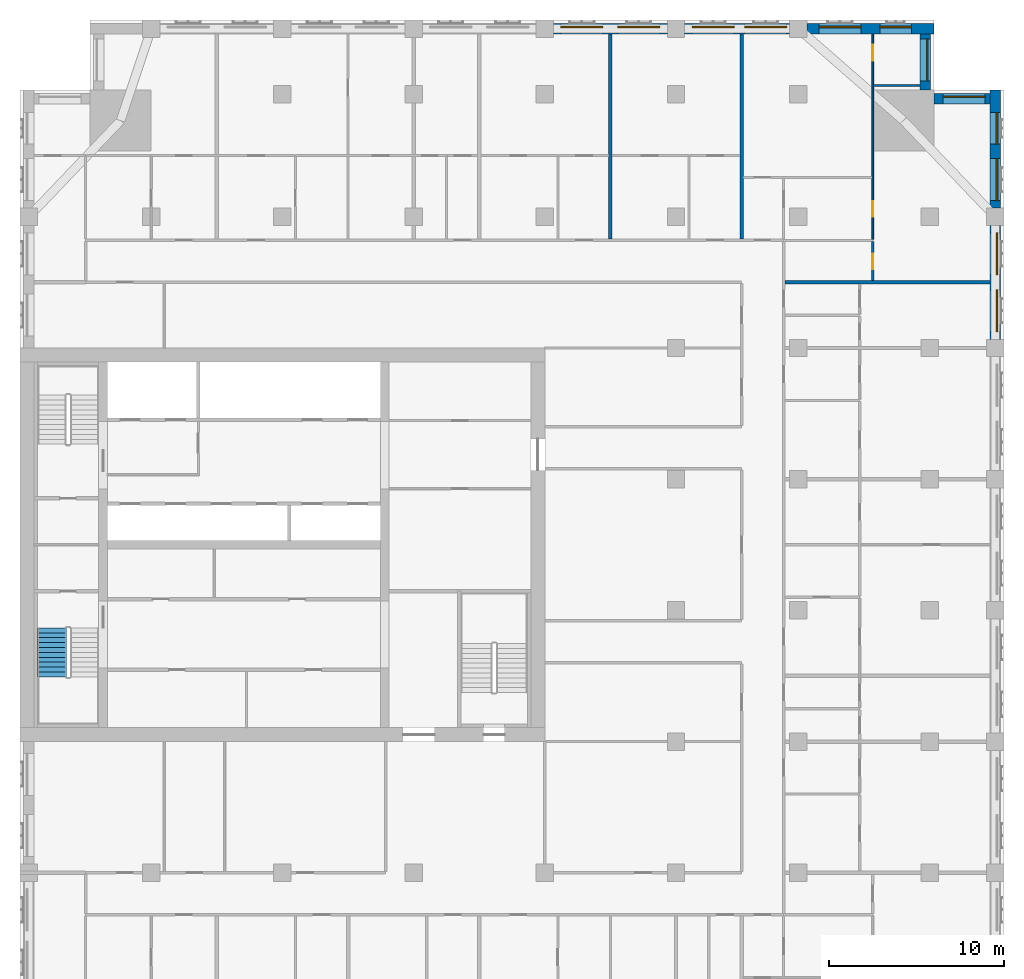
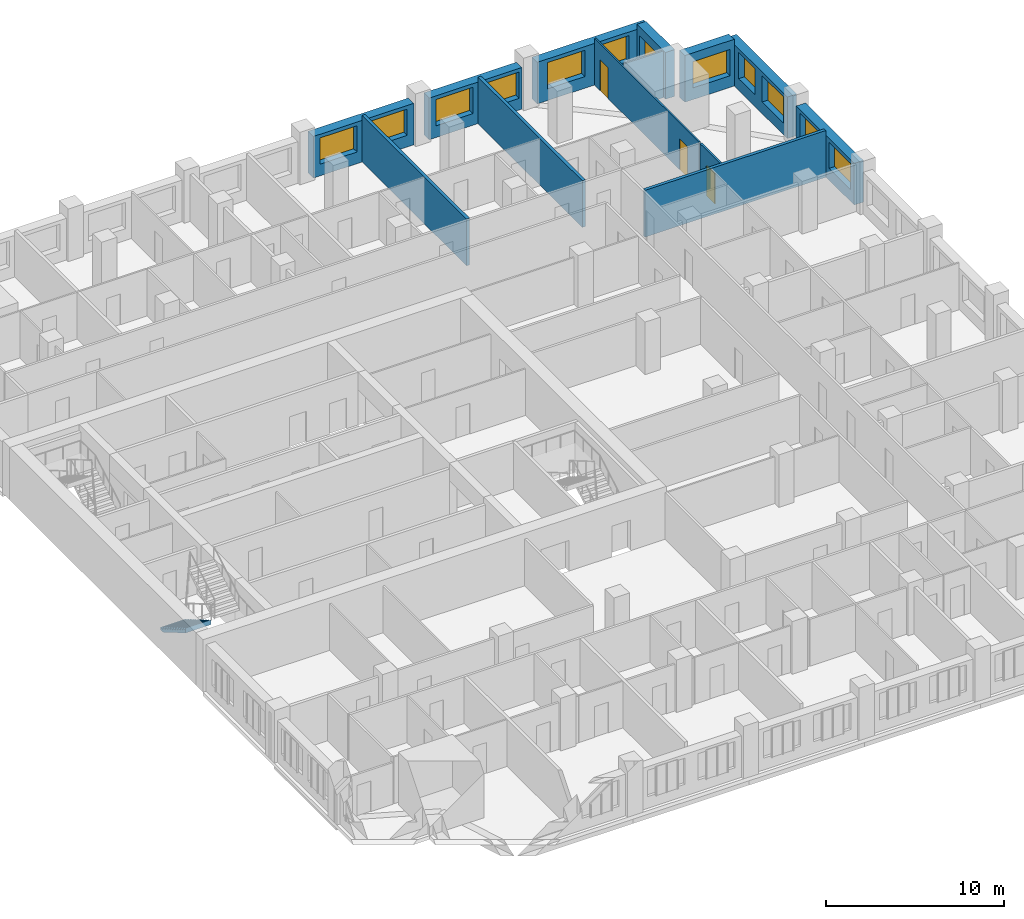
# One storey, part 11 of 14: 13 walls, 12 windows, 3 doors, 1 stair flight, 15 openings, 1 element without a shape of its own.
"""IFC4 building model written with IfcOpenShell, lengths in metres."""

from ifc_helpers import new_model, si_unit, direction, frame, frame_2d, origin, place, context, subcontext, project, spatial, polyline, rectangle, outline, extrude, material, layer, layer_set, type_object, element, fill, aggregate, save


model = new_model("IFC4")

# Units and contexts
model_context = context("Model", 3, precision=1e-05, world=origin(), true_north=direction((0.0, 1.0)))
body_context = subcontext(model_context, "Body", "Model", "MODEL_VIEW")
ifc_project = project(units=[si_unit("LENGTHUNIT", "METRE"), si_unit("AREAUNIT", "SQUARE_METRE"), si_unit("VOLUMEUNIT", "CUBIC_METRE"), si_unit("PLANEANGLEUNIT", "RADIAN"), si_unit("MASSUNIT", "GRAM", prefix="KILO")], contexts=[model_context])

# Site, building, storey
site_placement = place(None, origin())
site = spatial("IfcSite", under=ifc_project, at=site_placement, CompositionType="ELEMENT")
building_placement = place(site_placement, origin())
building = spatial("IfcBuilding", under=site, at=building_placement, Name="Tamorin Gate", CompositionType="ELEMENT")
storey_placement = place(building_placement, frame((0.0, 0.0, 162.60009765625)))
storey = spatial("IfcBuildingStorey", under=building, at=storey_placement, Name="L40", CompositionType="ELEMENT", Elevation=162.60009765625)

# Wall, openings, windows
ifc_material_1 = material(Name="Precast concrete C40/50", Category="concrete")
ifc_layer_1 = layer(ifc_material_1, 0.60009765625)
ifc_layer_set_1 = layer_set([ifc_layer_1], Name="Precast concrete C40/50")
wall_type_1 = type_object("IfcWallType", Name="Board-marked concrete facade panel 600", PredefinedType="SOLIDWALL", material=ifc_layer_set_1)
wall_1_placement = place(storey_placement, frame((85.75, 83.0, 0.0), z_axis=(0.0, 0.0, 1.0), x_axis=(0.0, 1.0, 0.0)))
wall_1 = element("IfcWall", 1, at=wall_1_placement, inside=storey, type_object=wall_type_1, Name="Facade panel", PredefinedType="SOLIDWALL", context=body_context, shape_type="SweptSolid", body=[
    extrude(rectangle(XDim=6.5, YDim=0.60009765625, at=frame_2d((3.25, 0.0))), origin(), (0.0, 0.0, 1.0), 2.849853515625),
])
opening_1_placement = place(wall_1_placement, frame((0.425048828125, 0.0, 0.800048828125)))
opening_1 = element("IfcOpeningElement", 2, at=opening_1_placement, cuts=wall_1, Name="Opening WN1", PredefinedType="OPENING", context=body_context, shape_type="SweptSolid", body=[
    extrude(rectangle(XDim=2.39990234375, YDim=1.800048828125, at=frame_2d((1.199951171875, 0.89990234375))), frame((0.0, 0.31005859375, 0.0), z_axis=(0.0, -1.0, 0.0), x_axis=(1.0, 0.0, 0.0)), (0.0, 0.0, 1.0), 0.6201171875),
])
opening_2_placement = place(wall_1_placement, frame((3.675048828125, 0.0, 0.800048828125)))
opening_2 = element("IfcOpeningElement", 3, at=opening_2_placement, cuts=wall_1, Name="Opening WN1", PredefinedType="OPENING", context=body_context, shape_type="SweptSolid", body=[
    extrude(rectangle(XDim=2.39990234375, YDim=1.800048828125, at=frame_2d((1.199951171875, 0.89990234375))), frame((0.0, 0.31005859375, 0.0), z_axis=(0.0, -1.0, 0.0), x_axis=(1.0, 0.0, 0.0)), (0.0, 0.0, 1.0), 0.6201171875),
])
ifc_material_2 = material(Name="Clear glass in aluminium frame", Category="aluminium")
window_type_1 = type_object("IfcWindowType", Name="Deep-set window 2400x1800", PartitioningType="SINGLE_PANEL", PredefinedType="WINDOW", material=ifc_material_2)
window_1_placement = place(opening_1_placement, origin())
window_1 = element("IfcWindow", 4, at=window_1_placement, inside=storey, type_object=window_type_1, Name="Deep-set window", OverallHeight=1.800048828125, OverallWidth=2.39990234375, PartitioningType="SINGLE_PANEL", PredefinedType="WINDOW", context=body_context, shape_type="SweptSolid", body=[
    extrude(rectangle(XDim=2.39990234375, YDim=1.800048828125, at=frame_2d((1.199951171875, 0.89990234375))), frame((0.0, -0.070068359375, 0.0), z_axis=(0.0, -1.0, 0.0), x_axis=(1.0, 0.0, 0.0)), (0.0, 0.0, 1.0), 0.06005859375),
])
fill(opening_1, window_1)
window_2_placement = place(opening_2_placement, origin())
window_2 = element("IfcWindow", 5, at=window_2_placement, inside=storey, type_object=window_type_1, Name="Deep-set window", OverallHeight=1.800048828125, OverallWidth=2.39990234375, PartitioningType="SINGLE_PANEL", PredefinedType="WINDOW", context=body_context, shape_type="SweptSolid", body=[
    extrude(rectangle(XDim=2.39990234375, YDim=1.800048828125, at=frame_2d((1.199951171875, 0.89990234375))), frame((0.0, -0.070068359375, 0.0), z_axis=(0.0, -1.0, 0.0), x_axis=(1.0, 0.0, 0.0)), (0.0, 0.0, 1.0), 0.06005859375),
])
fill(opening_2, window_2)

wall_2_placement = place(storey_placement, frame((85.75, 90.5, 0.0), z_axis=(0.0, 0.0, 1.0), x_axis=(0.0, 1.0, 0.0)))
wall_2 = element("IfcWall", 6, at=wall_2_placement, inside=storey, type_object=wall_type_1, Name="Facade panel", PredefinedType="SOLIDWALL", context=body_context, shape_type="SweptSolid", body=[
    extrude(rectangle(XDim=6.75, YDim=0.60009765625, at=frame_2d((3.375, 0.0))), origin(), (0.0, 0.0, 1.0), 2.849853515625),
])
opening_3_placement = place(wall_2_placement, frame((0.425048828125, 0.0, 0.800048828125)))
opening_3 = element("IfcOpeningElement", 7, at=opening_3_placement, cuts=wall_2, Name="Opening WN1", PredefinedType="OPENING", context=body_context, shape_type="SweptSolid", body=[
    extrude(rectangle(XDim=2.39990234375, YDim=1.800048828125, at=frame_2d((1.199951171875, 0.89990234375))), frame((0.0, 0.31005859375, 0.0), z_axis=(0.0, -1.0, 0.0), x_axis=(1.0, 0.0, 0.0)), (0.0, 0.0, 1.0), 0.6201171875),
])
opening_4_placement = place(wall_2_placement, frame((3.64990234375, 0.0, 0.800048828125)))
opening_4 = element("IfcOpeningElement", 8, at=opening_4_placement, cuts=wall_2, Name="Opening WN2", PredefinedType="OPENING", context=body_context, shape_type="SweptSolid", body=[
    extrude(rectangle(XDim=1.800048828125, YDim=1.800048828125, at=frame_2d((0.89990234375, 0.89990234375))), frame((0.0, 0.31005859375, 0.0), z_axis=(0.0, -1.0, 0.0), x_axis=(1.0, 0.0, 0.0)), (0.0, 0.0, 1.0), 0.6201171875),
])
window_type_2 = type_object("IfcWindowType", Name="Deep-set window 1800x1800", PartitioningType="SINGLE_PANEL", PredefinedType="WINDOW", material=ifc_material_2)
window_3_placement = place(opening_4_placement, origin())
window_3 = element("IfcWindow", 9, at=window_3_placement, inside=storey, type_object=window_type_2, Name="Deep-set window", OverallHeight=1.800048828125, OverallWidth=1.800048828125, PartitioningType="SINGLE_PANEL", PredefinedType="WINDOW", context=body_context, shape_type="SweptSolid", body=[
    extrude(rectangle(XDim=1.800048828125, YDim=1.800048828125, at=frame_2d((0.89990234375, 0.89990234375))), frame((0.0, -0.070068359375, 0.0), z_axis=(0.0, -1.0, 0.0), x_axis=(1.0, 0.0, 0.0)), (0.0, 0.0, 1.0), 0.06005859375),
])
fill(opening_4, window_3)
window_4_placement = place(opening_3_placement, origin())
window_4 = element("IfcWindow", 10, at=window_4_placement, inside=storey, type_object=window_type_1, Name="Deep-set window", OverallHeight=1.800048828125, OverallWidth=2.39990234375, PartitioningType="SINGLE_PANEL", PredefinedType="WINDOW", context=body_context, shape_type="SweptSolid", body=[
    extrude(rectangle(XDim=2.39990234375, YDim=1.800048828125, at=frame_2d((1.199951171875, 0.89990234375))), frame((0.0, -0.070068359375, 0.0), z_axis=(0.0, -1.0, 0.0), x_axis=(1.0, 0.0, 0.0)), (0.0, 0.0, 1.0), 0.06005859375),
])
fill(opening_3, window_4)

# Wall, opening, window
wall_3_placement = place(storey_placement, frame((85.449951171875, 96.75, 0.0), z_axis=(0.0, 0.0, 1.0), x_axis=(-1.0, 0.0, 0.0)))
wall_3 = element("IfcWall", 11, at=wall_3_placement, inside=storey, type_object=wall_type_1, Name="Facade panel", PredefinedType="SOLIDWALL", context=body_context, shape_type="SweptSolid", body=[
    extrude(rectangle(XDim=3.199951171875, YDim=0.60009765625, at=frame_2d((1.60009765625, 0.0))), origin(), (0.0, 0.0, 1.0), 3.199951171875),
])
opening_5_placement = place(wall_3_placement, frame((0.27490234375, 0.0, 0.800048828125)))
opening_5 = element("IfcOpeningElement", 12, at=opening_5_placement, cuts=wall_3, Name="Opening WN1", PredefinedType="OPENING", context=body_context, shape_type="SweptSolid", body=[
    extrude(rectangle(XDim=2.39990234375, YDim=1.800048828125, at=frame_2d((1.199951171875, 0.89990234375))), frame((0.0, 0.31005859375, 0.0), z_axis=(0.0, -1.0, 0.0), x_axis=(1.0, 0.0, 0.0)), (0.0, 0.0, 1.0), 0.6201171875),
])
window_5_placement = place(opening_5_placement, origin())
window_5 = element("IfcWindow", 13, at=window_5_placement, inside=storey, type_object=window_type_1, Name="Deep-set window", OverallHeight=1.800048828125, OverallWidth=2.39990234375, PartitioningType="SINGLE_PANEL", PredefinedType="WINDOW", context=body_context, shape_type="SweptSolid", body=[
    extrude(rectangle(XDim=2.39990234375, YDim=1.800048828125, at=frame_2d((1.199951171875, 0.89990234375))), frame((0.0, -0.070068359375, 0.0), z_axis=(0.0, -1.0, 0.0), x_axis=(1.0, 0.0, 0.0)), (0.0, 0.0, 1.0), 0.06005859375),
])
fill(opening_5, window_5)

wall_4_placement = place(storey_placement, frame((81.75, 97.25, 0.0), z_axis=(0.0, 0.0, 1.0), x_axis=(0.0, 1.0, 0.0)))
wall_4 = element("IfcWall", 14, at=wall_4_placement, inside=storey, type_object=wall_type_1, Name="Facade panel", PredefinedType="SOLIDWALL", context=body_context, shape_type="SweptSolid", body=[
    extrude(rectangle(XDim=3.199951171875, YDim=0.60009765625, at=frame_2d((1.60009765625, 0.0))), origin(), (0.0, 0.0, 1.0), 3.199951171875),
])
opening_6_placement = place(wall_4_placement, frame((0.52490234375, 0.0, 0.800048828125)))
opening_6 = element("IfcOpeningElement", 15, at=opening_6_placement, cuts=wall_4, Name="Opening WN1", PredefinedType="OPENING", context=body_context, shape_type="SweptSolid", body=[
    extrude(rectangle(XDim=2.39990234375, YDim=1.800048828125, at=frame_2d((1.199951171875, 0.89990234375))), frame((0.0, 0.31005859375, 0.0), z_axis=(0.0, -1.0, 0.0), x_axis=(1.0, 0.0, 0.0)), (0.0, 0.0, 1.0), 0.6201171875),
])
window_6_placement = place(opening_6_placement, origin())
window_6 = element("IfcWindow", 16, at=window_6_placement, inside=storey, type_object=window_type_1, Name="Deep-set window", OverallHeight=1.800048828125, OverallWidth=2.39990234375, PartitioningType="SINGLE_PANEL", PredefinedType="WINDOW", context=body_context, shape_type="SweptSolid", body=[
    extrude(rectangle(XDim=2.39990234375, YDim=1.800048828125, at=frame_2d((1.199951171875, 0.89990234375))), frame((0.0, -0.070068359375, 0.0), z_axis=(0.0, -1.0, 0.0), x_axis=(1.0, 0.0, 0.0)), (0.0, 0.0, 1.0), 0.06005859375),
])
fill(opening_6, window_6)

# Wall, openings, windows
wall_5_placement = place(storey_placement, frame((82.25, 100.75, 0.0), z_axis=(0.0, 0.0, 1.0), x_axis=(-1.0, 0.0, 0.0)))
wall_5 = element("IfcWall", 17, at=wall_5_placement, inside=storey, type_object=wall_type_1, Name="Facade panel", PredefinedType="SOLIDWALL", context=body_context, shape_type="SweptSolid", body=[
    extrude(rectangle(XDim=7.25, YDim=0.60009765625, at=frame_2d((3.625, 0.0))), origin(), (0.0, 0.0, 1.0), 2.849853515625),
])
opening_7_placement = place(wall_5_placement, frame((4.175048828125, 0.0, 0.800048828125)))
opening_7 = element("IfcOpeningElement", 18, at=opening_7_placement, cuts=wall_5, Name="Opening WN1", PredefinedType="OPENING", context=body_context, shape_type="SweptSolid", body=[
    extrude(rectangle(XDim=2.39990234375, YDim=1.800048828125, at=frame_2d((1.199951171875, 0.89990234375))), frame((0.0, 0.31005859375, 0.0), z_axis=(0.0, -1.0, 0.0), x_axis=(1.0, 0.0, 0.0)), (0.0, 0.0, 1.0), 0.6201171875),
])
opening_8_placement = place(wall_5_placement, frame((1.300048828125, 0.0, 0.800048828125)))
opening_8 = element("IfcOpeningElement", 19, at=opening_8_placement, cuts=wall_5, Name="Opening WN2", PredefinedType="OPENING", context=body_context, shape_type="SweptSolid", body=[
    extrude(rectangle(XDim=1.800048828125, YDim=1.800048828125, at=frame_2d((0.89990234375, 0.89990234375))), frame((0.0, 0.31005859375, 0.0), z_axis=(0.0, -1.0, 0.0), x_axis=(1.0, 0.0, 0.0)), (0.0, 0.0, 1.0), 0.6201171875),
])
window_7_placement = place(opening_8_placement, origin())
window_7 = element("IfcWindow", 20, at=window_7_placement, inside=storey, type_object=window_type_2, Name="Deep-set window", OverallHeight=1.800048828125, OverallWidth=1.800048828125, PartitioningType="SINGLE_PANEL", PredefinedType="WINDOW", context=body_context, shape_type="SweptSolid", body=[
    extrude(rectangle(XDim=1.800048828125, YDim=1.800048828125, at=frame_2d((0.89990234375, 0.89990234375))), frame((0.0, -0.070068359375, 0.0), z_axis=(0.0, -1.0, 0.0), x_axis=(1.0, 0.0, 0.0)), (0.0, 0.0, 1.0), 0.06005859375),
])
fill(opening_8, window_7)
window_8_placement = place(opening_7_placement, origin())
window_8 = element("IfcWindow", 21, at=window_8_placement, inside=storey, type_object=window_type_1, Name="Deep-set window", OverallHeight=1.800048828125, OverallWidth=2.39990234375, PartitioningType="SINGLE_PANEL", PredefinedType="WINDOW", context=body_context, shape_type="SweptSolid", body=[
    extrude(rectangle(XDim=2.39990234375, YDim=1.800048828125, at=frame_2d((1.199951171875, 0.89990234375))), frame((0.0, -0.070068359375, 0.0), z_axis=(0.0, -1.0, 0.0), x_axis=(1.0, 0.0, 0.0)), (0.0, 0.0, 1.0), 0.06005859375),
])
fill(opening_7, window_8)

wall_6_placement = place(storey_placement, frame((74.0, 100.75, 0.0), z_axis=(0.0, 0.0, 1.0), x_axis=(-1.0, 0.0, 0.0)))
wall_6 = element("IfcWall", 22, at=wall_6_placement, inside=storey, type_object=wall_type_1, Name="Facade panel", PredefinedType="SOLIDWALL", context=body_context, shape_type="SweptSolid", body=[
    extrude(rectangle(XDim=6.0, YDim=0.60009765625, at=frame_2d((3.0, 0.0))), origin(), (0.0, 0.0, 1.0), 2.849853515625),
])
opening_9_placement = place(wall_6_placement, frame((3.175048828125, 0.0, 0.800048828125)))
opening_9 = element("IfcOpeningElement", 23, at=opening_9_placement, cuts=wall_6, Name="Opening WN1", PredefinedType="OPENING", context=body_context, shape_type="SweptSolid", body=[
    extrude(rectangle(XDim=2.39990234375, YDim=1.800048828125, at=frame_2d((1.199951171875, 0.89990234375))), frame((0.0, 0.31005859375, 0.0), z_axis=(0.0, -1.0, 0.0), x_axis=(1.0, 0.0, 0.0)), (0.0, 0.0, 1.0), 0.6201171875),
])
opening_10_placement = place(wall_6_placement, frame((0.175048828125, 0.0, 0.800048828125)))
opening_10 = element("IfcOpeningElement", 24, at=opening_10_placement, cuts=wall_6, Name="Opening WN1", PredefinedType="OPENING", context=body_context, shape_type="SweptSolid", body=[
    extrude(rectangle(XDim=2.39990234375, YDim=1.800048828125, at=frame_2d((1.199951171875, 0.89990234375))), frame((0.0, 0.31005859375, 0.0), z_axis=(0.0, -1.0, 0.0), x_axis=(1.0, 0.0, 0.0)), (0.0, 0.0, 1.0), 0.6201171875),
])
window_9_placement = place(opening_9_placement, origin())
window_9 = element("IfcWindow", 25, at=window_9_placement, inside=storey, type_object=window_type_1, Name="Deep-set window", OverallHeight=1.800048828125, OverallWidth=2.39990234375, PartitioningType="SINGLE_PANEL", PredefinedType="WINDOW", context=body_context, shape_type="SweptSolid", body=[
    extrude(rectangle(XDim=2.39990234375, YDim=1.800048828125, at=frame_2d((1.199951171875, 0.89990234375))), frame((0.0, -0.070068359375, 0.0), z_axis=(0.0, -1.0, 0.0), x_axis=(1.0, 0.0, 0.0)), (0.0, 0.0, 1.0), 0.06005859375),
])
fill(opening_9, window_9)
window_10_placement = place(opening_10_placement, origin())
window_10 = element("IfcWindow", 26, at=window_10_placement, inside=storey, type_object=window_type_1, Name="Deep-set window", OverallHeight=1.800048828125, OverallWidth=2.39990234375, PartitioningType="SINGLE_PANEL", PredefinedType="WINDOW", context=body_context, shape_type="SweptSolid", body=[
    extrude(rectangle(XDim=2.39990234375, YDim=1.800048828125, at=frame_2d((1.199951171875, 0.89990234375))), frame((0.0, -0.070068359375, 0.0), z_axis=(0.0, -1.0, 0.0), x_axis=(1.0, 0.0, 0.0)), (0.0, 0.0, 1.0), 0.06005859375),
])
fill(opening_10, window_10)

wall_7_placement = place(storey_placement, frame((67.0, 100.75, 0.0), z_axis=(0.0, 0.0, 1.0), x_axis=(-1.0, 0.0, 0.0)))
wall_7 = element("IfcWall", 27, at=wall_7_placement, inside=storey, type_object=wall_type_1, Name="Facade panel", PredefinedType="SOLIDWALL", context=body_context, shape_type="SweptSolid", body=[
    extrude(rectangle(XDim=6.5, YDim=0.60009765625, at=frame_2d((3.25, 0.0))), origin(), (0.0, 0.0, 1.0), 2.849853515625),
])
opening_11_placement = place(wall_7_placement, frame((3.675048828125, 0.0, 0.800048828125)))
opening_11 = element("IfcOpeningElement", 28, at=opening_11_placement, cuts=wall_7, Name="Opening WN1", PredefinedType="OPENING", context=body_context, shape_type="SweptSolid", body=[
    extrude(rectangle(XDim=2.39990234375, YDim=1.800048828125, at=frame_2d((1.199951171875, 0.89990234375))), frame((0.0, 0.31005859375, 0.0), z_axis=(0.0, -1.0, 0.0), x_axis=(1.0, 0.0, 0.0)), (0.0, 0.0, 1.0), 0.6201171875),
])
opening_12_placement = place(wall_7_placement, frame((0.425048828125, 0.0, 0.800048828125)))
opening_12 = element("IfcOpeningElement", 29, at=opening_12_placement, cuts=wall_7, Name="Opening WN1", PredefinedType="OPENING", context=body_context, shape_type="SweptSolid", body=[
    extrude(rectangle(XDim=2.39990234375, YDim=1.800048828125, at=frame_2d((1.199951171875, 0.89990234375))), frame((0.0, 0.31005859375, 0.0), z_axis=(0.0, -1.0, 0.0), x_axis=(1.0, 0.0, 0.0)), (0.0, 0.0, 1.0), 0.6201171875),
])
window_11_placement = place(opening_11_placement, origin())
window_11 = element("IfcWindow", 30, at=window_11_placement, inside=storey, type_object=window_type_1, Name="Deep-set window", OverallHeight=1.800048828125, OverallWidth=2.39990234375, PartitioningType="SINGLE_PANEL", PredefinedType="WINDOW", context=body_context, shape_type="SweptSolid", body=[
    extrude(rectangle(XDim=2.39990234375, YDim=1.800048828125, at=frame_2d((1.199951171875, 0.89990234375))), frame((0.0, -0.070068359375, 0.0), z_axis=(0.0, -1.0, 0.0), x_axis=(1.0, 0.0, 0.0)), (0.0, 0.0, 1.0), 0.06005859375),
])
fill(opening_11, window_11)
window_12_placement = place(opening_12_placement, origin())
window_12 = element("IfcWindow", 31, at=window_12_placement, inside=storey, type_object=window_type_1, Name="Deep-set window", OverallHeight=1.800048828125, OverallWidth=2.39990234375, PartitioningType="SINGLE_PANEL", PredefinedType="WINDOW", context=body_context, shape_type="SweptSolid", body=[
    extrude(rectangle(XDim=2.39990234375, YDim=1.800048828125, at=frame_2d((1.199951171875, 0.89990234375))), frame((0.0, -0.070068359375, 0.0), z_axis=(0.0, -1.0, 0.0), x_axis=(1.0, 0.0, 0.0)), (0.0, 0.0, 1.0), 0.06005859375),
])
fill(opening_12, window_12)

# Walls
ifc_material_3 = material(Name="Gypsum board partition")
ifc_layer_2 = layer(ifc_material_3, 0.199951171875)
ifc_layer_set_2 = layer_set([ifc_layer_2], Name="Demising wall 200")
wall_type_2 = type_object("IfcWallType", Name="Demising wall 200", PredefinedType="PARTITIONING", material=ifc_layer_set_2)
for number, where, z_axis, x_axis, name in (
    (32, (73.72509765625, 86.25, 0.0), (0.0, 0.0, 1.0), (1.0, 0.0, 0.0), "Demising wall 200"),
    (33, (63.75, 88.72509765625, 0.0), (0.0, 0.0, 1.0), (0.0, 1.0, 0.0), "Demising wall 200"),
    (34, (71.25, 88.72509765625, 0.0), (0.0, 0.0, 1.0), (0.0, 1.0, 0.0), "Demising wall 200"),
):
    element("IfcWall", number, at=place(storey_placement, frame(where, z_axis=z_axis, x_axis=x_axis)), inside=storey, type_object=wall_type_2, Name=name, PredefinedType="PARTITIONING", context=body_context, shape_type="SweptSolid", body=[
        extrude(rectangle(XDim=11.71484375, YDim=0.199951171875, at=frame_2d((5.857421875, 0.0))), origin(), (0.0, 0.0, 1.0), 3.199951171875),
    ])
ifc_layer_3 = layer(ifc_material_3, 0.10009765625)
ifc_layer_set_3 = layer_set([ifc_layer_3], Name="Room partition 100")
wall_type_3 = type_object("IfcWallType", Name="Room partition 100", PredefinedType="PARTITIONING", material=ifc_layer_set_3)
wall_8_placement = place(storey_placement, frame((78.800048828125, 97.5, 0.0), z_axis=(0.0, 0.0, 1.0), x_axis=(1.0, 0.0, 0.0)))
element("IfcWall", 35, at=wall_8_placement, inside=storey, type_object=wall_type_3, Name="Room partition 100", PredefinedType="PARTITIONING", context=body_context, shape_type="SweptSolid", body=[
    extrude(rectangle(XDim=2.639892578125, YDim=0.10009765625, at=frame_2d((1.31982421875, 0.0))), origin(), (0.0, 0.0, 1.0), 3.199951171875),
])

# Wall, openings, doors
wall_9_placement = place(storey_placement, frame((78.75, 88.71240234375, 0.0), z_axis=(0.0, 0.0, 1.0), x_axis=(0.0, 1.0, 0.0)))
wall_9 = element("IfcWall", 36, at=wall_9_placement, inside=storey, type_object=wall_type_3, Name="Room partition 100", PredefinedType="PARTITIONING", context=body_context, shape_type="SweptSolid", body=[
    extrude(rectangle(XDim=11.7275390625, YDim=0.10009765625, at=frame_2d((5.86376953125, 0.0))), origin(), (0.0, 0.0, 1.0), 3.199951171875),
])
opening_13_placement = place(wall_9_placement, frame((10.21240234375, 0.0, 0.0)))
opening_13 = element("IfcOpeningElement", 37, at=opening_13_placement, cuts=wall_9, Name="Opening DS2063", PredefinedType="OPENING", context=body_context, shape_type="SweptSolid", body=[
    extrude(rectangle(XDim=0.89990234375, YDim=2.10009765625, at=frame_2d((0.449951171875, 1.050048828125))), frame((0.0, 0.06005859375, 0.0), z_axis=(0.0, -1.0, 0.0), x_axis=(1.0, 0.0, 0.0)), (0.0, 0.0, 1.0), 0.1201171875),
])
opening_14_placement = place(wall_9_placement, frame((1.28759765625, 0.0, 0.0)))
opening_14 = element("IfcOpeningElement", 38, at=opening_14_placement, cuts=wall_9, Name="Opening DS2064", PredefinedType="OPENING", context=body_context, shape_type="SweptSolid", body=[
    extrude(rectangle(XDim=0.89990234375, YDim=2.10009765625, at=frame_2d((0.449951171875, 1.050048828125))), frame((0.0, 0.06005859375, 0.0), z_axis=(0.0, -1.0, 0.0), x_axis=(1.0, 0.0, 0.0)), (0.0, 0.0, 1.0), 0.1201171875),
])
ifc_material_4 = material(Name="Timber door leaf", Category="wood")
door_type = type_object("IfcDoorType", Name="Door 900 x 2100", OperationType="NOTDEFINED", PredefinedType="DOOR", material=ifc_material_4)
door_1_placement = place(opening_13_placement, origin())
door_1 = element("IfcDoor", 39, at=door_1_placement, inside=storey, type_object=door_type, Name="Door DS2063", OperationType="SINGLE_SWING_LEFT", OverallHeight=2.10009765625, OverallWidth=0.89990234375, PredefinedType="DOOR", context=body_context, shape_type="SweptSolid", body=[
    extrude(rectangle(XDim=0.89990234375, YDim=2.10009765625, at=frame_2d((0.449951171875, 1.050048828125))), frame((0.0, 0.02490234375, 0.0), z_axis=(0.0, -1.0, 0.0), x_axis=(1.0, 0.0, 0.0)), (0.0, 0.0, 1.0), 0.050048828125),
])
fill(opening_13, door_1)
door_2_placement = place(opening_14_placement, origin())
door_2 = element("IfcDoor", 40, at=door_2_placement, inside=storey, type_object=door_type, Name="Door DS2064", OperationType="SINGLE_SWING_RIGHT", OverallHeight=2.10009765625, OverallWidth=0.89990234375, PredefinedType="DOOR", context=body_context, shape_type="SweptSolid", body=[
    extrude(rectangle(XDim=0.89990234375, YDim=2.10009765625, at=frame_2d((0.449951171875, 1.050048828125))), frame((0.0, 0.02490234375, 0.0), z_axis=(0.0, -1.0, 0.0), x_axis=(1.0, 0.0, 0.0)), (0.0, 0.0, 1.0), 0.050048828125),
])
fill(opening_14, door_2)

# Wall, opening, door
ifc_layer_4 = layer(ifc_material_3, 0.125)
ifc_layer_set_4 = layer_set([ifc_layer_4], Name="Wet wall 125")
wall_type_4 = type_object("IfcWallType", Name="Wet wall 125", PredefinedType="PARTITIONING", material=ifc_layer_set_4)
wall_10_placement = place(storey_placement, frame((78.75, 86.35009765625, 0.0), z_axis=(0.0, 0.0, 1.0), x_axis=(0.0, 1.0, 0.0)))
wall_10 = element("IfcWall", 41, at=wall_10_placement, inside=storey, type_object=wall_type_4, Name="Wet wall 125", PredefinedType="PARTITIONING", context=body_context, shape_type="SweptSolid", body=[
    extrude(rectangle(XDim=2.2373046875, YDim=0.125, at=frame_2d((1.11865234375, 0.0))), origin(), (0.0, 0.0, 1.0), 3.199951171875),
])
opening_15_placement = place(wall_10_placement, frame((0.64990234375, 0.0, 0.0)))
opening_15 = element("IfcOpeningElement", 42, at=opening_15_placement, cuts=wall_10, Name="Opening DS2065", PredefinedType="OPENING", context=body_context, shape_type="SweptSolid", body=[
    extrude(rectangle(XDim=0.89990234375, YDim=2.10009765625, at=frame_2d((0.449951171875, 1.050048828125))), frame((0.0, 0.072509765625, 0.0), z_axis=(0.0, -1.0, 0.0), x_axis=(1.0, 0.0, 0.0)), (0.0, 0.0, 1.0), 0.14501953125),
])
door_3_placement = place(opening_15_placement, origin())
door_3 = element("IfcDoor", 43, at=door_3_placement, inside=storey, type_object=door_type, Name="Door DS2065", OperationType="SINGLE_SWING_LEFT", OverallHeight=2.10009765625, OverallWidth=0.89990234375, PredefinedType="DOOR", context=body_context, shape_type="SweptSolid", body=[
    extrude(rectangle(XDim=0.89990234375, YDim=2.10009765625, at=frame_2d((0.449951171875, 1.050048828125))), frame((0.0, 0.02490234375, 0.0), z_axis=(0.0, -1.0, 0.0), x_axis=(1.0, 0.0, 0.0)), (0.0, 0.0, 1.0), 0.050048828125),
])
fill(opening_15, door_3)

# Stair, stair flight
ifc_material_5 = material(Name="Concrete C40/50", Category="concrete")
stair_type = type_object("IfcStairType", Name="Exit stair", PredefinedType="HALF_TURN_STAIR", material=ifc_material_5)
stair_placement = place(storey_placement, origin())
stair = element("IfcStair", 44, at=stair_placement, inside=storey, type_object=stair_type, Name="L40 stair ST1", PredefinedType="HALF_TURN_STAIR")
stair_flight_type = type_object("IfcStairFlightType", Name="Exit stair flight", PredefinedType="STRAIGHT", material=ifc_material_5)
stair_flight_placement = place(storey_placement, frame((31.824951171875, 66.5, 0.0), z_axis=(0.0, 0.0, 1.0), x_axis=(0.0, -1.0, 0.0)))
stair_flight = element("IfcStairFlight", 45, at=stair_flight_placement, type_object=stair_flight_type, Name="ST1 flight 1", NumberOfRisers=11, NumberOfTreads=10, PredefinedType="STRAIGHT", RiserHeight=0.163636364, TreadLength=0.28, context=body_context, shape_type="SweptSolid", body=[
    extrude(outline(polyline([(-0.00048828125, 0.0), (-0.00048828125, 0.001708984375), (-0.00048828125, 0.003173828125), (-0.00048828125, 0.0048828125), (-0.00048828125, 0.006591796875), (-0.00048828125, 0.008056640625), (-0.00048828125, 0.009765625), (-0.00048828125, 0.01123046875), (-0.00048828125, 0.012939453125), (-0.00048828125, 0.0146484375), (-0.00048828125, 0.01611328125), (-0.00048828125, 0.017822265625), (-0.00048828125, 0.01953125), (-0.00048828125, 0.02099609375), (-0.00048828125, 0.022705078125), (-0.00048828125, 0.0244140625), (-0.00048828125, 0.02587890625), (-0.00048828125, 0.027587890625), (-0.00048828125, 0.029052734375), (-0.00048828125, 0.03076171875), (-0.00048828125, 0.032470703125), (-0.00048828125, 0.033935546875), (-0.00048828125, 0.03564453125), (-0.00048828125, 0.037353515625), (-0.00048828125, 0.038818359375), (-0.00048828125, 0.04052734375), (-0.00048828125, 0.042236328125), (-0.00048828125, 0.043701171875), (-0.00048828125, 0.04541015625), (-0.00048828125, 0.046875), (-0.00048828125, 0.048583984375), (-0.00048828125, 0.05029296875), (-0.00048828125, 0.0517578125), (-0.00048828125, 0.053466796875), (-0.00048828125, 0.05517578125), (-0.00048828125, 0.056640625), (-0.00048828125, 0.058349609375), (-0.00048828125, 0.06005859375), (-0.00048828125, 0.0615234375), (-0.00048828125, 0.063232421875), (-0.00048828125, 0.064697265625), (-0.00048828125, 0.06640625), (-0.00048828125, 0.068115234375), (-0.00048828125, 0.069580078125), (-0.00048828125, 0.0712890625), (-0.00048828125, 0.072998046875), (-0.00048828125, 0.074462890625), (-0.00048828125, 0.076171875), (-0.00048828125, 0.077880859375), (-0.00048828125, 0.079345703125), (-0.00048828125, 0.0810546875), (-0.00048828125, 0.08251953125), (-0.00048828125, 0.084228515625), (-0.00048828125, 0.0859375), (-0.00048828125, 0.08740234375), (-0.00048828125, 0.089111328125), (-0.00048828125, 0.0908203125), (-0.00048828125, 0.09228515625), (-0.00048828125, 0.093994140625), (-0.00048828125, 0.095703125), (-0.00048828125, 0.09716796875), (-0.00048828125, 0.098876953125), (-0.00048828125, 0.100341796875), (-0.00048828125, 0.10205078125), (-0.00048828125, 0.103759765625), (-0.00048828125, 0.105224609375), (-0.00048828125, 0.10693359375), (-0.00048828125, 0.108642578125), (-0.00048828125, 0.110107421875), (-0.00048828125, 0.11181640625), (-0.00048828125, 0.113525390625), (-0.00048828125, 0.114990234375), (-0.00048828125, 0.11669921875), (-0.00048828125, 0.1181640625), (-0.00048828125, 0.119873046875), (-0.00048828125, 0.12158203125), (-0.00048828125, 0.123046875), (-0.00048828125, 0.124755859375), (-0.00048828125, 0.12646484375), (-0.00048828125, 0.1279296875), (-0.00048828125, 0.129638671875), (-0.00048828125, 0.13134765625), (-0.00048828125, 0.1328125), (-0.00048828125, 0.134521484375), (-0.00048828125, 0.135986328125), (-0.00048828125, 0.1376953125), (-0.00048828125, 0.139404296875), (-0.00048828125, 0.140869140625), (-0.00048828125, 0.142578125), (-0.00048828125, 0.144287109375), (-0.00048828125, 0.145751953125), (-0.00048828125, 0.1474609375), (-0.00048828125, 0.149169921875), (-0.00048828125, 0.150634765625), (-0.00048828125, 0.15234375), (-0.00048828125, 0.15380859375), (-0.00048828125, 0.155517578125), (-0.00048828125, 0.1572265625), (-0.00048828125, 0.15869140625), (-0.00048828125, 0.160400390625), (-0.00048828125, 0.162109375), (-0.00048828125, 0.16357421875), (0.280029296875, 0.16357421875), (0.280029296875, 0.327392578125), (0.56005859375, 0.327392578125), (0.56005859375, 0.490966796875), (0.840087890625, 0.490966796875), (0.840087890625, 0.654541015625), (1.1201171875, 0.654541015625), (1.1201171875, 0.818115234375), (1.39990234375, 0.818115234375), (1.39990234375, 0.98193359375), (1.679931640625, 0.98193359375), (1.679931640625, 1.1455078125), (1.9599609375, 1.1455078125), (1.9599609375, 1.30908203125), (2.239990234375, 1.30908203125), (2.239990234375, 1.47265625), (2.52001953125, 1.47265625), (2.52001953125, 1.636474609375), (2.800048828125, 1.636474609375), (2.800048828125, 1.800048828125), (2.800537109375, 1.800048828125), (2.800537109375, 1.796630859375), (2.800537109375, 1.793212890625), (2.800537109375, 1.7900390625), (2.800537109375, 1.78662109375), (2.800537109375, 1.783203125), (2.800537109375, 1.780029296875), (2.800537109375, 1.776611328125), (2.800537109375, 1.773193359375), (2.800537109375, 1.77001953125), (2.800537109375, 1.7666015625), (2.800537109375, 1.76318359375), (2.800537109375, 1.760009765625), (2.800537109375, 1.756591796875), (2.800537109375, 1.753173828125), (2.800537109375, 1.75), (2.800537109375, 1.74658203125), (2.800537109375, 1.7431640625), (2.800537109375, 1.739990234375), (2.800537109375, 1.736572265625), (2.800537109375, 1.733154296875), (2.800537109375, 1.72998046875), (2.800537109375, 1.7265625), (2.800537109375, 1.72314453125), (2.800537109375, 1.719970703125), (2.800537109375, 1.716552734375), (2.800537109375, 1.713134765625), (2.800537109375, 1.7099609375), (2.800537109375, 1.70654296875), (2.800537109375, 1.703125), (2.800537109375, 1.69970703125), (2.800537109375, 1.696533203125), (2.800537109375, 1.693115234375), (2.800537109375, 1.689697265625), (2.800537109375, 1.6865234375), (2.800537109375, 1.68310546875), (2.800537109375, 1.6796875), (2.800537109375, 1.676513671875), (2.800537109375, 1.673095703125), (2.800537109375, 1.669677734375), (2.800537109375, 1.66650390625), (2.800537109375, 1.6630859375), (2.800537109375, 1.65966796875), (2.800537109375, 1.656494140625), (2.800537109375, 1.653076171875), (2.800537109375, 1.649658203125), (2.800537109375, 1.646484375), (2.800537109375, 1.64306640625), (2.800537109375, 1.6396484375), (2.800537109375, 1.636474609375), (2.800537109375, 1.633056640625), (2.800537109375, 1.629638671875), (2.800537109375, 1.62646484375), (2.800537109375, 1.623046875), (2.800537109375, 1.61962890625), (2.800537109375, 1.616455078125), (2.800537109375, 1.613037109375), (2.800537109375, 1.609619140625), (2.800537109375, 1.6064453125), (2.800537109375, 1.60302734375), (2.800537109375, 1.599609375), (2.800537109375, 1.59619140625), (2.800537109375, 1.593017578125), (2.800537109375, 1.589599609375), (2.800537109375, 1.586181640625), (2.800537109375, 1.5830078125), (2.800537109375, 1.57958984375), (2.800537109375, 1.576171875), (2.800537109375, 1.572998046875), (2.800537109375, 1.569580078125), (2.800537109375, 1.566162109375), (2.800537109375, 1.56298828125), (2.800537109375, 1.5595703125), (2.800537109375, 1.55615234375), (2.800537109375, 1.552978515625), (2.800537109375, 1.549560546875), (2.800537109375, 1.546142578125), (2.800537109375, 1.54296875), (2.800537109375, 1.53955078125), (2.800537109375, 1.5361328125), (2.800537109375, 1.532958984375), (2.800537109375, 1.529541015625), (2.800537109375, 1.526123046875), (2.800537109375, 1.52294921875), (2.800537109375, 1.51953125), (2.800537109375, 1.51611328125), (2.800537109375, 1.512939453125), (2.800537109375, 1.509521484375), (2.800537109375, 1.506103515625), (2.800537109375, 1.5029296875), (2.800537109375, 1.49951171875), (2.800537109375, 1.49609375), (2.800537109375, 1.49267578125), (2.800537109375, 1.489501953125), (2.800537109375, 1.486083984375), (2.800537109375, 1.482666015625), (2.800537109375, 1.4794921875), (2.800537109375, 1.47607421875), (2.800537109375, 1.47265625), (2.800537109375, 1.469482421875), (2.800537109375, 1.466064453125), (2.800537109375, 1.462646484375), (2.800048828125, 1.462646484375), (0.297119140625, 0.0), (-0.00048828125, 0.0)])), frame((0.0, 0.824951171875, 0.0), z_axis=(0.0, -1.0, 0.0), x_axis=(1.0, 0.0, 0.0)), (0.0, 0.0, 1.0), 1.64990234375),
])
aggregate(stair, [stair_flight])

save(model, "model.ifc")
